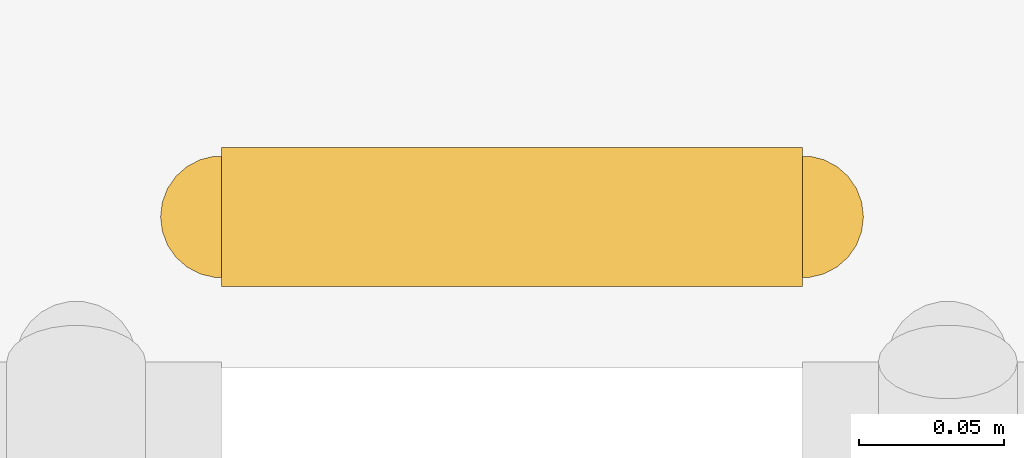
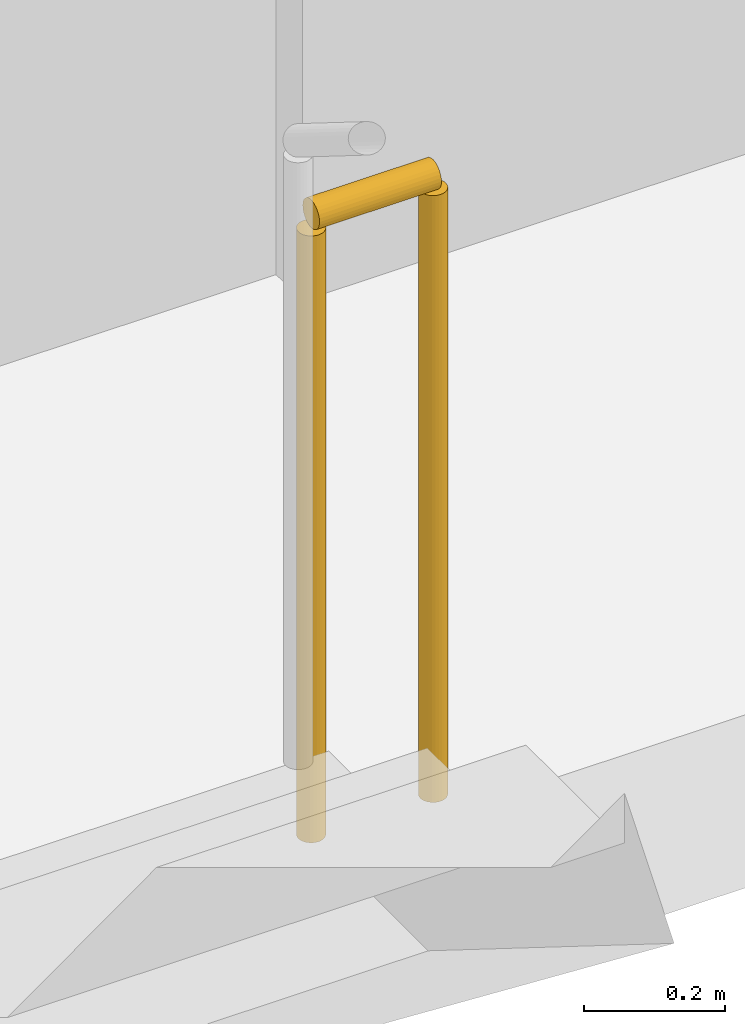
# One storey, part 20 of 22: 1 railing.
"""IFC4 building model written with IfcOpenShell, lengths in metres."""

from ifc_helpers import new_model, si_unit, direction, frame, origin, origin_2d, place, context, subcontext, project, spatial, circle, extrude, material, type_object, element, save


model = new_model("IFC4")

# Units and contexts
model_context = context("Model", 3, precision=1e-05, world=origin(), true_north=direction((0.0, 1.0)))
body_context = subcontext(model_context, "Body", "Model", "MODEL_VIEW")
ifc_project = project(units=[si_unit("LENGTHUNIT", "METRE"), si_unit("AREAUNIT", "SQUARE_METRE"), si_unit("VOLUMEUNIT", "CUBIC_METRE"), si_unit("PLANEANGLEUNIT", "RADIAN"), si_unit("MASSUNIT", "GRAM", prefix="KILO")], contexts=[model_context])

# Site, building, storey
site_placement = place(None, origin())
site = spatial("IfcSite", under=ifc_project, at=site_placement, CompositionType="ELEMENT")
building_placement = place(site_placement, origin())
building = spatial("IfcBuilding", under=site, at=building_placement, Name="Kiln Ring Residences", CompositionType="ELEMENT")
storey_placement = place(building_placement, frame((0.0, 0.0, 146.60009765625)))
storey = spatial("IfcBuildingStorey", under=building, at=storey_placement, Name="L37", CompositionType="ELEMENT", Elevation=146.60009765625)

# Railing
ifc_material = material(Name="Stainless steel", Category="steel")
railing_type = type_object("IfcRailingType", Name="CORE-STAIR-GUARD", PredefinedType="GUARDRAIL", material=ifc_material)
railing_placement = place(storey_placement, frame((-22.199951171875, 8.449951171875, 0.0)))
element("IfcRailing", 1, at=railing_placement, inside=storey, type_object=railing_type, Name="L37 W-STN stair guard 4", PredefinedType="GUARDRAIL", context=body_context, shape_type="SweptSolid", body=[
    extrude(circle(Radius=0.02392578125, at=origin_2d()), frame((0.0, 0.0, 1.076171875), z_axis=(1.0, 0.0, 0.0), x_axis=(0.0, 1.0, 0.0)), (0.0, 0.0, 1.0), 0.199951171875),
    extrude(circle(Radius=0.02099609375, at=origin_2d()), origin(), (0.0, 0.0, 1.0), 1.052001953125),
    extrude(circle(Radius=0.02099609375, at=origin_2d()), frame((0.199951171875, 0.0, 0.0)), (0.0, 0.0, 1.0), 1.052001953125),
])

save(model, "model.ifc")
